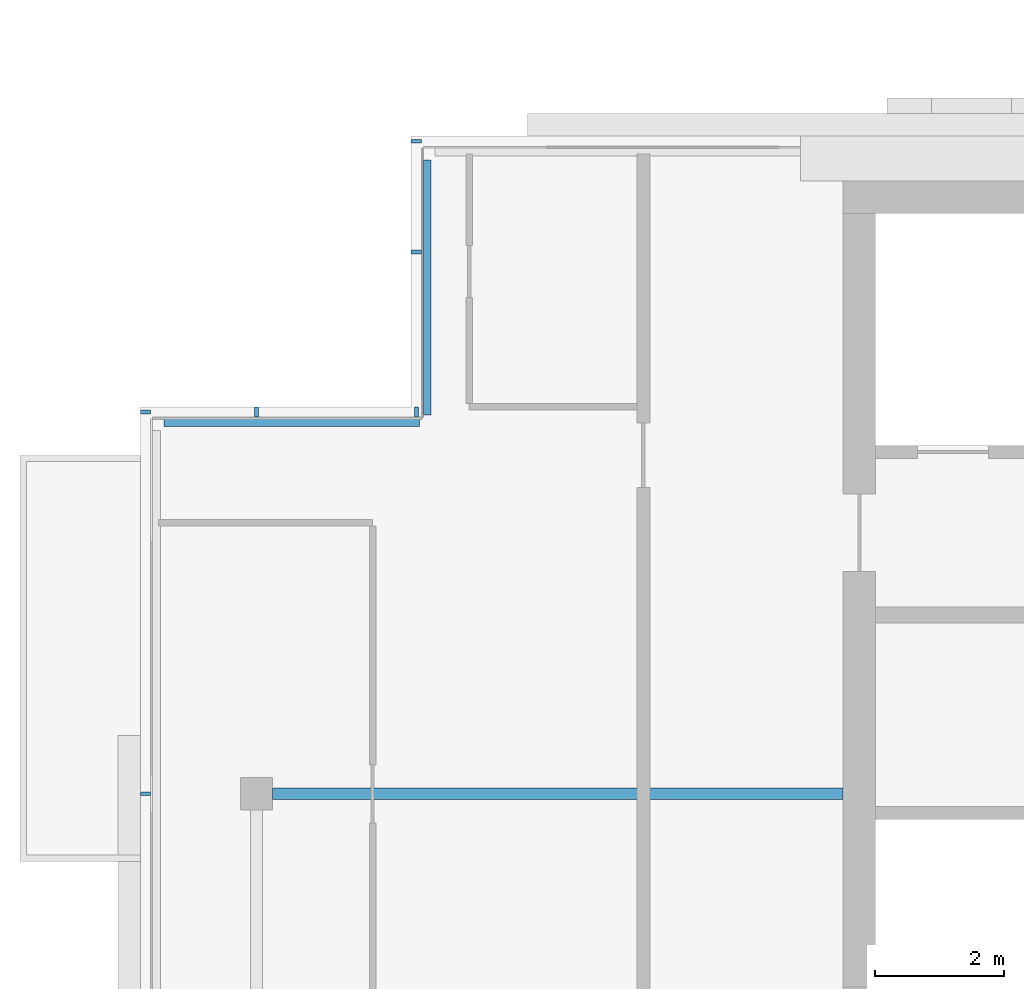
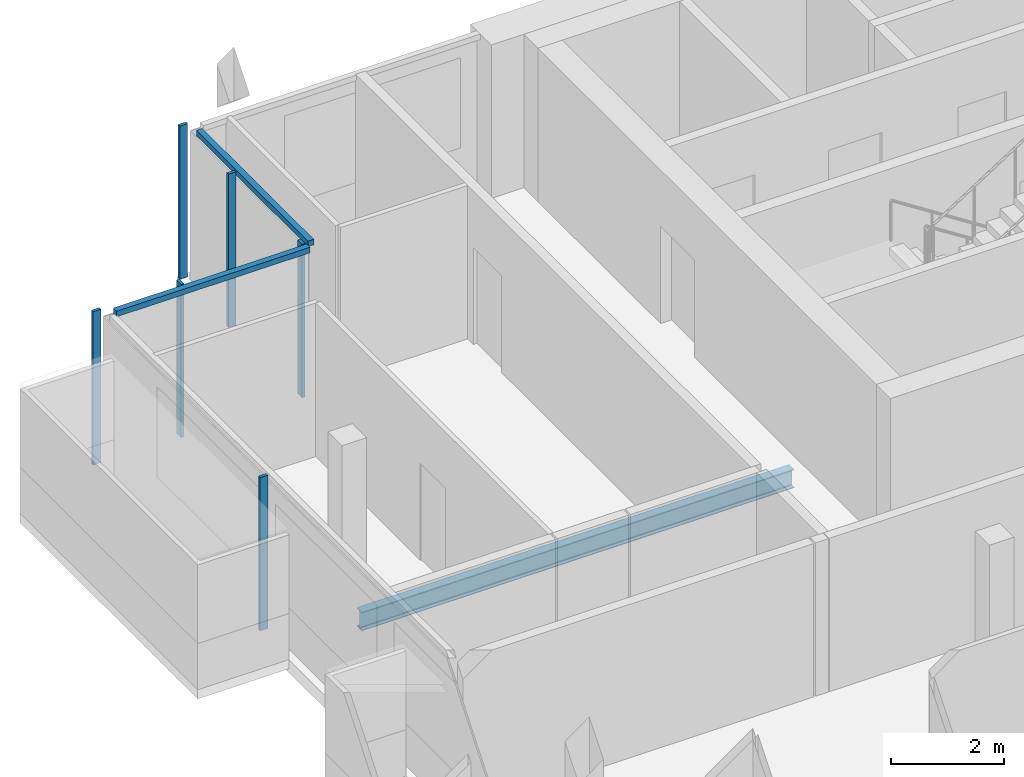
# One storey, part 6 of 22: 8 members, 1 beam, 3 elements without a shape of their own.
"""IFC4 building model written with IfcOpenShell, lengths in metres."""

from ifc_helpers import new_model, si_unit, direction, frame, origin, origin_2d, place, context, subcontext, project, spatial, rectangle, i_section, extrude, material, material_profile, profile_set, type_object, element, aggregate, save


model = new_model("IFC4")

# Units and contexts
model_context = context("Model", 3, precision=1e-05, world=origin(), true_north=direction((0.0, 1.0)))
body_context = subcontext(model_context, "Body", "Model", "MODEL_VIEW")
ifc_project = project(units=[si_unit("LENGTHUNIT", "METRE"), si_unit("AREAUNIT", "SQUARE_METRE"), si_unit("VOLUMEUNIT", "CUBIC_METRE"), si_unit("PLANEANGLEUNIT", "RADIAN"), si_unit("MASSUNIT", "GRAM", prefix="KILO")], contexts=[model_context])

# Site, building, storey
site_placement = place(None, origin())
site = spatial("IfcSite", under=ifc_project, at=site_placement, CompositionType="ELEMENT")
building_placement = place(site_placement, origin())
building = spatial("IfcBuilding", under=site, at=building_placement, Name="Saffron Gate Tower", CompositionType="ELEMENT")
storey_placement = place(building_placement, frame((0.0, 0.0, 285.14990234375)))
storey = spatial("IfcBuildingStorey", under=building, at=storey_placement, Name="L69", CompositionType="ELEMENT", Elevation=285.14990234375)

# Beam
ifc_material_1 = material(Name="Structural steel S355", Category="steel")
ifc_material_profile_1 = material_profile(ifc_material_1, i_section(OverallWidth=0.179931640625, OverallDepth=0.39990234375, WebThickness=0.008544921875, FlangeThickness=0.013427734375, FilletRadius=0.02099609375, at=origin_2d()))
ifc_profile_set_1 = profile_set([ifc_material_profile_1], Name="Structural steel S355")
beam_type = type_object("IfcBeamType", Name="B4 IPE 400", PredefinedType="BEAM", material=ifc_profile_set_1)
beam_placement = place(storey_placement, frame((58.449951171875, 65.39990234375, -0.47998046875), z_axis=(1.0, 0.0, 0.0), x_axis=(0.0, 1.0, 0.0)))
element("IfcBeam", 1, at=beam_placement, inside=storey, type_object=beam_type, Name="B4 CORE TIE BEAM", PredefinedType="BEAM", context=body_context, shape_type="SweptSolid", body=[
    extrude(i_section(OverallWidth=0.179931640625, OverallDepth=0.39990234375, WebThickness=0.008544921875, FlangeThickness=0.013427734375, FilletRadius=0.02099609375, at=origin_2d()), origin(), (0.0, 0.0, 1.0), 8.85009765625),
])

# Curtain wall, members
ifc_material_2 = material(Name="Aluminium, bronze anodised", Category="aluminium")
curtain_wall_type_1 = type_object("IfcCurtainWallType", Name="CWS2 curtain wall side facades", PredefinedType="NOTDEFINED", material=ifc_material_2)
curtain_wall_1_placement = place(storey_placement, origin())
curtain_wall_1 = element("IfcCurtainWall", 2, at=curtain_wall_1_placement, inside=storey, type_object=curtain_wall_type_1, Name="CWS2 run 10", PredefinedType="NOTDEFINED")
ifc_material_profile_2 = material_profile(ifc_material_2, rectangle(XDim=0.159912109375, YDim=0.06005859375, at=origin_2d()))
ifc_profile_set_2 = profile_set([ifc_material_profile_2], Name="Aluminium, bronze anodised")
member_type_1 = type_object("IfcMemberType", Name="CWS2 mullion 60x160", PredefinedType="MULLION", material=ifc_profile_set_2)
member_1_placement = place(storey_placement, frame((56.47998046875, 71.320068359375, 0.0), z_axis=(0.0, 0.0, 1.0), x_axis=(1.0, 0.0, 0.0)))
member_1 = element("IfcMember", 3, at=member_1_placement, type_object=member_type_1, Name="CWS2 mullion 1", PredefinedType="MULLION", context=body_context, shape_type="SweptSolid", body=[
    extrude(rectangle(XDim=0.159912109375, YDim=0.06005859375, at=origin_2d()), origin(), (0.0, 0.0, 1.0), 3.320068359375),
])
member_2_placement = place(storey_placement, frame((56.47998046875, 65.39990234375, 0.0), z_axis=(0.0, 0.0, 1.0), x_axis=(1.0, 0.0, 0.0)))
member_2 = element("IfcMember", 4, at=member_2_placement, type_object=member_type_1, Name="CWS2 mullion 2", PredefinedType="MULLION", context=body_context, shape_type="SweptSolid", body=[
    extrude(rectangle(XDim=0.159912109375, YDim=0.06005859375, at=origin_2d()), origin(), (0.0, 0.0, 1.0), 3.320068359375),
])
aggregate(curtain_wall_1, [member_1, member_2])

# Curtain wall, member
curtain_wall_type_2 = type_object("IfcCurtainWallType", Name="CWS4 curtain wall corner returns", PredefinedType="NOTDEFINED", material=ifc_material_2)
curtain_wall_2_placement = place(storey_placement, origin())
curtain_wall_2 = element("IfcCurtainWall", 5, at=curtain_wall_2_placement, inside=storey, type_object=curtain_wall_type_2, Name="CWS4 run 8", PredefinedType="NOTDEFINED")
ifc_material_profile_3 = material_profile(ifc_material_2, rectangle(XDim=0.1201171875, YDim=0.1201171875, at=origin_2d()))
ifc_profile_set_3 = profile_set([ifc_material_profile_3], Name="Aluminium, bronze anodised")
member_type_2 = type_object("IfcMemberType", Name="CWS4 head transom", PredefinedType="USERDEFINED", material=ifc_profile_set_3)
member_3_placement = place(storey_placement, frame((60.847900390625, 75.23193359375, 3.260009765625), z_axis=(0.0, -1.0, 0.0), x_axis=(1.0, 0.0, 0.0)))
member_3 = element("IfcMember", 6, at=member_3_placement, type_object=member_type_2, Name="CWS4 head transom", ObjectType="TRANSOM", PredefinedType="USERDEFINED", context=body_context, shape_type="SweptSolid", body=[
    extrude(rectangle(XDim=0.1201171875, YDim=0.1201171875, at=origin_2d()), origin(), (0.0, 0.0, 1.0), 3.9599609375),
])

curtain_wall_3_placement = place(storey_placement, origin())
curtain_wall_3 = element("IfcCurtainWall", 7, at=curtain_wall_3_placement, inside=storey, type_object=curtain_wall_type_2, Name="CWS4 run 9", PredefinedType="NOTDEFINED")
member_4_placement = place(storey_placement, frame((60.72802734375, 71.152099609375, 3.260009765625), z_axis=(-1.0, 0.0, 0.0), x_axis=(0.0, -1.0, 0.0)))
member_4 = element("IfcMember", 8, at=member_4_placement, type_object=member_type_2, Name="CWS4 head transom", ObjectType="TRANSOM", PredefinedType="USERDEFINED", context=body_context, shape_type="SweptSolid", body=[
    extrude(rectangle(XDim=0.1201171875, YDim=0.1201171875, at=origin_2d()), origin(), (0.0, 0.0, 1.0), 3.9599609375),
])

# Member
ifc_material_profile_4 = material_profile(ifc_material_2, rectangle(XDim=0.159912109375, YDim=0.06005859375, at=origin_2d()))
ifc_profile_set_4 = profile_set([ifc_material_profile_4], Name="Aluminium, bronze anodised")
member_type_3 = type_object("IfcMemberType", Name="CWS4 mullion 60x160", PredefinedType="MULLION", material=ifc_profile_set_4)
member_5_placement = place(storey_placement, frame((60.679931640625, 75.52001953125, 0.0), z_axis=(0.0, 0.0, 1.0), x_axis=(1.0, 0.0, 0.0)))
member_5 = element("IfcMember", 9, at=member_5_placement, type_object=member_type_3, Name="CWS4 mullion 1", PredefinedType="MULLION", context=body_context, shape_type="SweptSolid", body=[
    extrude(rectangle(XDim=0.159912109375, YDim=0.06005859375, at=origin_2d()), origin(), (0.0, 0.0, 1.0), 3.320068359375),
])

member_6_placement = place(storey_placement, frame((60.679931640625, 73.800048828125, 0.0), z_axis=(0.0, 0.0, 1.0), x_axis=(1.0, 0.0, 0.0)))
member_6 = element("IfcMember", 10, at=member_6_placement, type_object=member_type_3, Name="CWS4 mullion 2", PredefinedType="MULLION", context=body_context, shape_type="SweptSolid", body=[
    extrude(rectangle(XDim=0.159912109375, YDim=0.06005859375, at=origin_2d()), origin(), (0.0, 0.0, 1.0), 3.320068359375),
])

aggregate(curtain_wall_2, [member_5, member_6, member_3])

member_7_placement = place(storey_placement, frame((60.679931640625, 71.320068359375, 0.0), z_axis=(0.0, 0.0, 1.0), x_axis=(0.0, -1.0, 0.0)))
member_7 = element("IfcMember", 11, at=member_7_placement, type_object=member_type_3, Name="CWS4 mullion 1", PredefinedType="MULLION", context=body_context, shape_type="SweptSolid", body=[
    extrude(rectangle(XDim=0.159912109375, YDim=0.06005859375, at=origin_2d()), origin(), (0.0, 0.0, 1.0), 3.320068359375),
])

member_8_placement = place(storey_placement, frame((58.199951171875, 71.320068359375, 0.0), z_axis=(0.0, 0.0, 1.0), x_axis=(0.0, -1.0, 0.0)))
member_8 = element("IfcMember", 12, at=member_8_placement, type_object=member_type_3, Name="CWS4 mullion 2", PredefinedType="MULLION", context=body_context, shape_type="SweptSolid", body=[
    extrude(rectangle(XDim=0.159912109375, YDim=0.06005859375, at=origin_2d()), origin(), (0.0, 0.0, 1.0), 3.320068359375),
])

aggregate(curtain_wall_3, [member_7, member_8, member_4])

save(model, "model.ifc")
